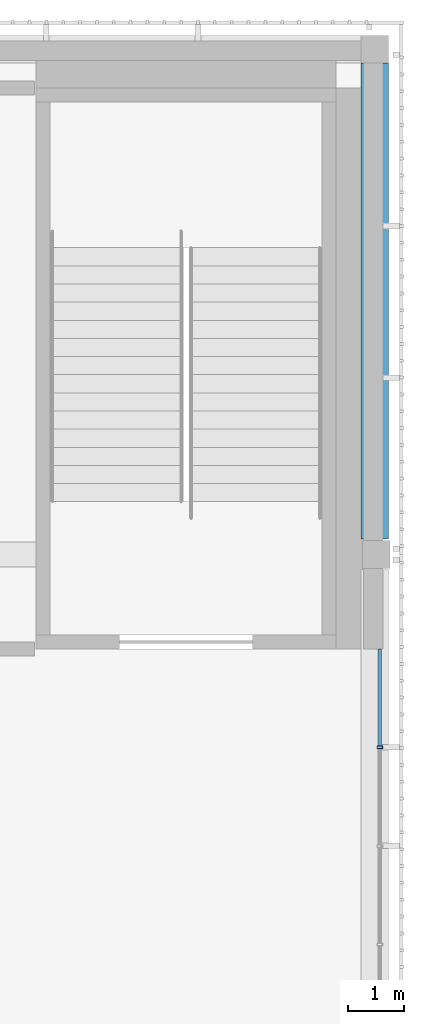
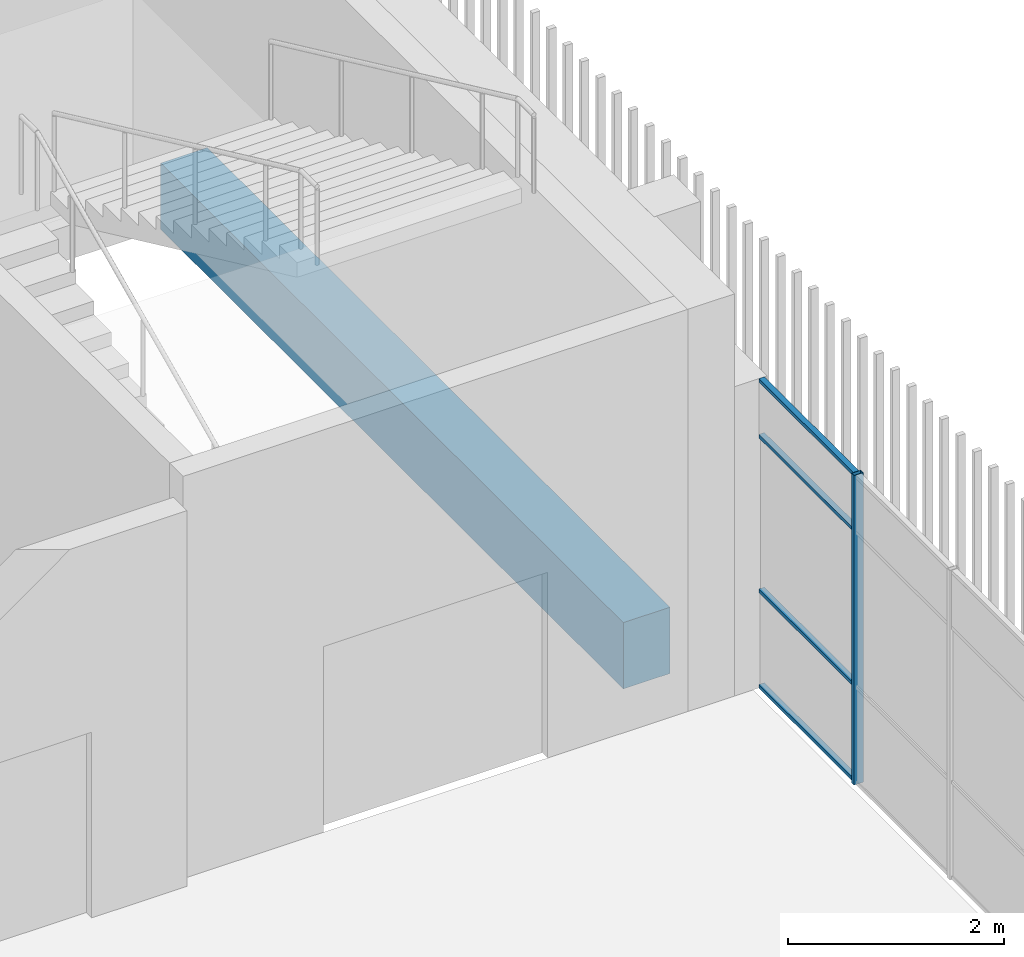
# One storey, part 62 of 126: 5 members, 1 beam, 1 element without a shape of its own.
"""IFC4 building model written with IfcOpenShell, lengths in metres."""

from ifc_helpers import new_model, si_unit, direction, frame, origin, origin_2d, place, context, subcontext, project, spatial, rectangle, hollow_rectangle, extrude, material, layer, layer_set, material_profile, profile_set, type_object, element, aggregate, save


model = new_model("IFC4")

# Units and contexts
model_context = context("Model", 3, precision=1e-05, world=origin(), true_north=direction((0.0, 1.0)))
body_context = subcontext(model_context, "Body", "Model", "MODEL_VIEW")
ifc_project = project(units=[si_unit("LENGTHUNIT", "METRE"), si_unit("AREAUNIT", "SQUARE_METRE"), si_unit("VOLUMEUNIT", "CUBIC_METRE"), si_unit("PLANEANGLEUNIT", "RADIAN"), si_unit("MASSUNIT", "GRAM", prefix="KILO")], contexts=[model_context])

# Site, building, storey
site_placement = place(None, origin())
site = spatial("IfcSite", under=ifc_project, at=site_placement, CompositionType="ELEMENT")
building_placement = place(site_placement, origin())
building = spatial("IfcBuilding", under=site, at=building_placement, Name="Shirokan Park Arena", CompositionType="ELEMENT")
storey_placement = place(building_placement, frame((0.0, 0.0, 6.3701171875)))
storey = spatial("IfcBuildingStorey", under=building, at=storey_placement, Name="L01", CompositionType="ELEMENT", Elevation=6.3701171875)

# Curtain wall, member
ifc_material_1 = material(Name="Steel and glass curtain wall", Category="steel")
ifc_layer = layer(ifc_material_1, 0.1201171875)
ifc_layer_set = layer_set([ifc_layer], Name="Steel and glass curtain wall 120 mm")
curtain_wall_type = type_object("IfcCurtainWallType", Name="Curtain wall corner block side bay 120", PredefinedType="NOTDEFINED", material=ifc_layer_set)
curtain_wall_placement = place(storey_placement, origin())
curtain_wall = element("IfcCurtainWall", 1, at=curtain_wall_placement, inside=storey, type_object=curtain_wall_type, Name="Curtain wall east bay 11 L01", PredefinedType="NOTDEFINED")
ifc_material_2 = material(Name="Steel S355", Category="steel")
ifc_material_profile_1 = material_profile(ifc_material_2, hollow_rectangle(XDim=0.10009765625, YDim=0.050048828125, WallThickness=0.0048828125, at=origin_2d()), Name="RHS 100x50x5")
ifc_profile_set_1 = profile_set([ifc_material_profile_1], Name="Steel S355")
member_type_1 = type_object("IfcMemberType", Name="Mullion RHS 100x50x5", PredefinedType="MULLION", material=ifc_profile_set_1)
member_1_placement = place(storey_placement, frame((145.68994140625, 96.625, 0.0), z_axis=(0.0, 0.0, 1.0), x_axis=(-1.0, 0.0, 0.0)))
member_1 = element("IfcMember", 2, at=member_1_placement, type_object=member_type_1, Name="CW3 mullion 4", PredefinedType="MULLION", context=body_context, shape_type="SweptSolid", body=[
    extrude(hollow_rectangle(XDim=0.10009765625, YDim=0.050048828125, WallThickness=0.0048828125, at=origin_2d()), origin(), (0.0, 0.0, 1.0), 3.5),
])

# Beam
ifc_material_3 = material(Name="Concrete C35", Category="concrete")
ifc_material_profile_2 = material_profile(ifc_material_3, rectangle(XDim=0.5, YDim=0.75, at=origin_2d()), Name="500x750")
ifc_profile_set_2 = profile_set([ifc_material_profile_2], Name="Concrete C35")
beam_type = type_object("IfcBeamType", Name="RC girder 500x750", PredefinedType="BEAM", material=ifc_profile_set_2)
beam_placement = place(storey_placement, frame((145.60009765625, 100.375, -0.72509765625), z_axis=(0.0, 1.0, 0.0), x_axis=(-1.0, 0.0, 0.0)))
element("IfcBeam", 3, at=beam_placement, inside=storey, type_object=beam_type, Name="Girder 17M-17N L01", PredefinedType="BEAM", context=body_context, shape_type="SweptSolid", body=[
    extrude(rectangle(XDim=0.5, YDim=0.75, at=origin_2d()), origin(), (0.0, 0.0, 1.0), 8.574951171875),
])

# Member
ifc_material_profile_3 = material_profile(ifc_material_2, hollow_rectangle(XDim=0.06005859375, YDim=0.0400390625, WallThickness=0.00390625, at=origin_2d()), Name="RHS 60x40x4")
ifc_profile_set_3 = profile_set([ifc_material_profile_3], Name="Steel S355")
member_type_2 = type_object("IfcMemberType", Name="Transom RHS 60x40x4", PredefinedType="MULLION", material=ifc_profile_set_3)
member_2_placement = place(storey_placement, frame((145.68994140625, 96.64990234375, 0.019775390625), z_axis=(0.0, 1.0, 0.0), x_axis=(-1.0, 0.0, 0.0)))
member_2 = element("IfcMember", 4, at=member_2_placement, type_object=member_type_2, Name="CW3 transom 4.1", PredefinedType="MULLION", context=body_context, shape_type="SweptSolid", body=[
    extrude(hollow_rectangle(XDim=0.06005859375, YDim=0.0400390625, WallThickness=0.00390625, at=origin_2d()), origin(), (0.0, 0.0, 1.0), 1.75),
])

member_3_placement = place(storey_placement, frame((145.68994140625, 96.64990234375, 1.099853515625), z_axis=(0.0, 1.0, 0.0), x_axis=(-1.0, 0.0, 0.0)))
member_3 = element("IfcMember", 5, at=member_3_placement, type_object=member_type_2, Name="CW3 transom 4.2", PredefinedType="MULLION", context=body_context, shape_type="SweptSolid", body=[
    extrude(hollow_rectangle(XDim=0.06005859375, YDim=0.0400390625, WallThickness=0.00390625, at=origin_2d()), origin(), (0.0, 0.0, 1.0), 1.75),
])

member_4_placement = place(storey_placement, frame((145.68994140625, 96.64990234375, 2.849853515625), z_axis=(0.0, 1.0, 0.0), x_axis=(-1.0, 0.0, 0.0)))
member_4 = element("IfcMember", 6, at=member_4_placement, type_object=member_type_2, Name="CW3 transom 4.3", PredefinedType="MULLION", context=body_context, shape_type="SweptSolid", body=[
    extrude(hollow_rectangle(XDim=0.06005859375, YDim=0.0400390625, WallThickness=0.00390625, at=origin_2d()), origin(), (0.0, 0.0, 1.0), 1.75),
])

member_5_placement = place(storey_placement, frame((145.68994140625, 96.64990234375, 3.47998046875), z_axis=(0.0, 1.0, 0.0), x_axis=(-1.0, 0.0, 0.0)))
member_5 = element("IfcMember", 7, at=member_5_placement, type_object=member_type_2, Name="CW3 transom 4.4", PredefinedType="MULLION", context=body_context, shape_type="SweptSolid", body=[
    extrude(hollow_rectangle(XDim=0.06005859375, YDim=0.0400390625, WallThickness=0.00390625, at=origin_2d()), origin(), (0.0, 0.0, 1.0), 1.75),
])

aggregate(curtain_wall, [member_1, member_2, member_3, member_4, member_5])

save(model, "model.ifc")
